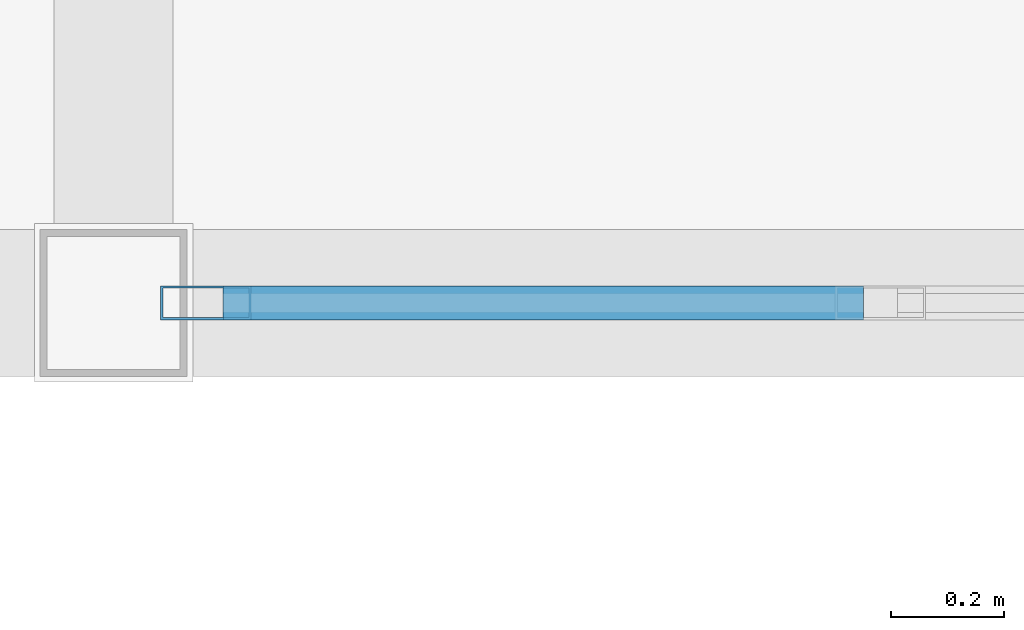
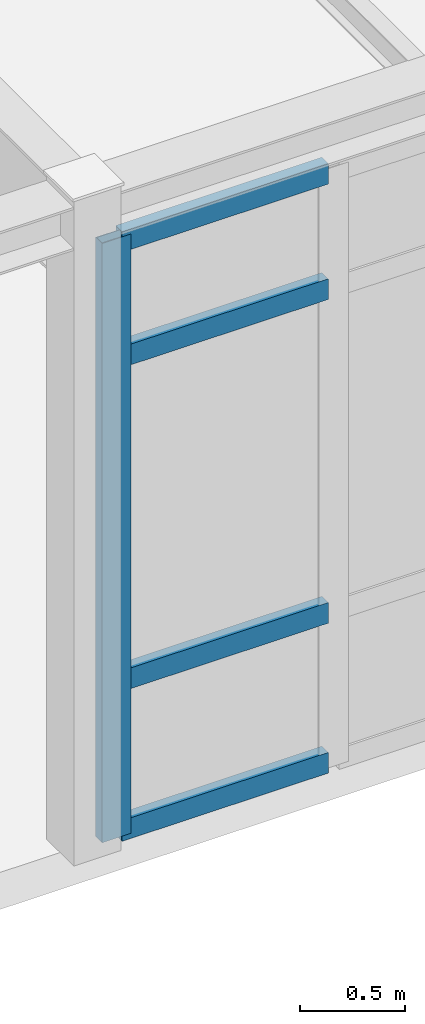
# One storey, part 61 of 189: 5 members, 1 element without a shape of its own.
"""IFC4 building model written with IfcOpenShell, lengths in metres."""

from ifc_helpers import new_model, si_unit, direction, frame, origin, origin_2d, place, context, subcontext, project, spatial, hollow_rectangle, extrude, material, layer, layer_set, material_profile, profile_set, type_object, element, aggregate, save


model = new_model("IFC4")

# Units and contexts
model_context = context("Model", 3, precision=1e-05, world=origin(), true_north=direction((0.0, 1.0)))
body_context = subcontext(model_context, "Body", "Model", "MODEL_VIEW")
ifc_project = project(units=[si_unit("LENGTHUNIT", "METRE"), si_unit("AREAUNIT", "SQUARE_METRE"), si_unit("VOLUMEUNIT", "CUBIC_METRE"), si_unit("PLANEANGLEUNIT", "RADIAN"), si_unit("MASSUNIT", "GRAM", prefix="KILO")], contexts=[model_context])

# Site, building, storey
site_placement = place(None, origin())
site = spatial("IfcSite", under=ifc_project, at=site_placement, CompositionType="ELEMENT")
building_placement = place(site_placement, origin())
building = spatial("IfcBuilding", under=site, at=building_placement, Name="Montecoro Central Library", CompositionType="ELEMENT")
storey_placement = place(building_placement, frame((0.0, 0.0, 9.179931640625)))
storey = spatial("IfcBuildingStorey", under=building, at=storey_placement, Name="L02", CompositionType="ELEMENT", Elevation=9.179931640625)

# Curtain wall, members
ifc_material_1 = material(Name="Bronze-anodised aluminium and low-E glazing", Category="aluminium")
ifc_layer = layer(ifc_material_1, 0.159912109375)
ifc_layer_set = layer_set([ifc_layer], Name="Bronze-anodised aluminium and low-E glazing")
curtain_wall_type = type_object("IfcCurtainWallType", Name="CWT-046", PredefinedType="NOTDEFINED", material=ifc_layer_set)
curtain_wall_placement = place(storey_placement, origin())
curtain_wall = element("IfcCurtainWall", 1, at=curtain_wall_placement, inside=storey, type_object=curtain_wall_type, Name="V4-L02-CW-S4", PredefinedType="NOTDEFINED")
ifc_material_2 = material(Name="Bronze-anodised aluminium", Category="aluminium")
ifc_material_profile_1 = material_profile(ifc_material_2, hollow_rectangle(XDim=0.06005859375, YDim=0.159912109375, WallThickness=0.00390625, at=origin_2d()), Name="CWM 160x60x4.0")
ifc_profile_set_1 = profile_set([ifc_material_profile_1], Name="Bronze-anodised aluminium")
member_type_1 = type_object("IfcMemberType", Name="CWM-BRZ-60", PredefinedType="MULLION", material=ifc_profile_set_1)
member_1_placement = place(storey_placement, frame((35.56298828125, 73.39990234375, 0.0), z_axis=(0.0, 0.0, 1.0), x_axis=(0.0, 1.0, 0.0)))
member_1 = element("IfcMember", 2, at=member_1_placement, type_object=member_type_1, Name="CW-046 mullion 1", PredefinedType="MULLION", context=body_context, shape_type="SweptSolid", body=[
    extrude(hollow_rectangle(XDim=0.06005859375, YDim=0.159912109375, WallThickness=0.00390625, at=origin_2d()), origin(), (0.0, 0.0, 1.0), 3.47998046875),
])
ifc_material_profile_2 = material_profile(ifc_material_2, hollow_rectangle(XDim=0.06005859375, YDim=0.1201171875, WallThickness=0.00390625, at=origin_2d()), Name="CWT 120x60x4.0")
ifc_profile_set_2 = profile_set([ifc_material_profile_2], Name="Bronze-anodised aluminium")
member_type_2 = type_object("IfcMemberType", Name="CWT-BRZ-60", PredefinedType="USERDEFINED", material=ifc_profile_set_2)
member_2_placement = place(storey_placement, frame((35.593017578125, 73.39990234375, 0.030029296875), z_axis=(1.0, 0.0, 0.0), x_axis=(0.0, 1.0, 0.0)))
member_2 = element("IfcMember", 3, at=member_2_placement, type_object=member_type_2, Name="CW-046 transom 1.1", ObjectType="TRANSOM", PredefinedType="USERDEFINED", context=body_context, shape_type="SweptSolid", body=[
    extrude(hollow_rectangle(XDim=0.06005859375, YDim=0.1201171875, WallThickness=0.00390625, at=origin_2d()), origin(), (0.0, 0.0, 1.0), 1.13232421875),
])
member_3_placement = place(storey_placement, frame((35.593017578125, 73.39990234375, 0.900146484375), z_axis=(1.0, 0.0, 0.0), x_axis=(0.0, 1.0, 0.0)))
member_3 = element("IfcMember", 4, at=member_3_placement, type_object=member_type_2, Name="CW-046 transom 1.2", ObjectType="TRANSOM", PredefinedType="USERDEFINED", context=body_context, shape_type="SweptSolid", body=[
    extrude(hollow_rectangle(XDim=0.06005859375, YDim=0.1201171875, WallThickness=0.00390625, at=origin_2d()), origin(), (0.0, 0.0, 1.0), 1.13232421875),
])
member_4_placement = place(storey_placement, frame((35.593017578125, 73.39990234375, 2.780029296875), z_axis=(1.0, 0.0, 0.0), x_axis=(0.0, 1.0, 0.0)))
member_4 = element("IfcMember", 5, at=member_4_placement, type_object=member_type_2, Name="CW-046 transom 1.3", ObjectType="TRANSOM", PredefinedType="USERDEFINED", context=body_context, shape_type="SweptSolid", body=[
    extrude(hollow_rectangle(XDim=0.06005859375, YDim=0.1201171875, WallThickness=0.00390625, at=origin_2d()), origin(), (0.0, 0.0, 1.0), 1.13232421875),
])
member_5_placement = place(storey_placement, frame((35.593017578125, 73.39990234375, 3.449951171875), z_axis=(1.0, 0.0, 0.0), x_axis=(0.0, 1.0, 0.0)))
member_5 = element("IfcMember", 6, at=member_5_placement, type_object=member_type_2, Name="CW-046 transom 1.4", ObjectType="TRANSOM", PredefinedType="USERDEFINED", context=body_context, shape_type="SweptSolid", body=[
    extrude(hollow_rectangle(XDim=0.06005859375, YDim=0.1201171875, WallThickness=0.00390625, at=origin_2d()), origin(), (0.0, 0.0, 1.0), 1.13232421875),
])
aggregate(curtain_wall, [member_1, member_2, member_3, member_4, member_5])

save(model, "model.ifc")
